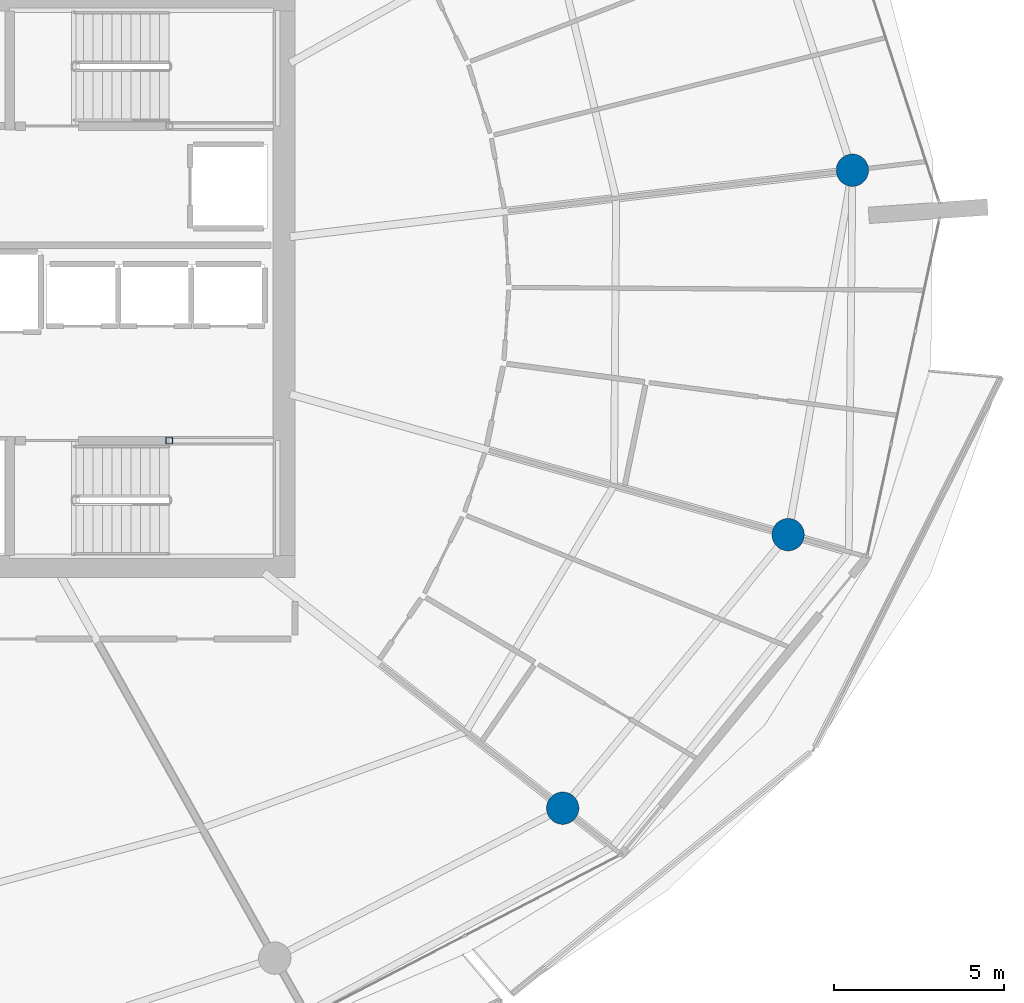
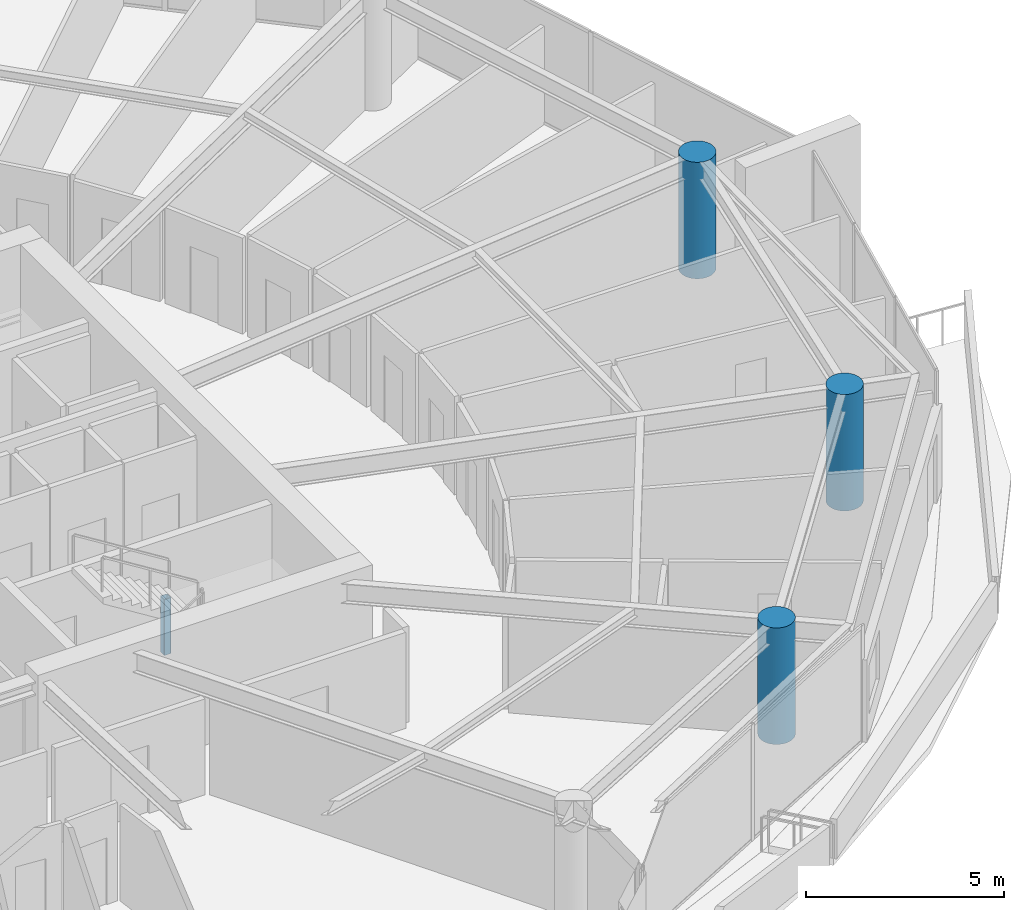
# One storey, part 3 of 30: 4 columns.
"""IFC4 building model written with IfcOpenShell, lengths in metres."""

from ifc_helpers import new_model, si_unit, direction, frame, origin, origin_2d, place, context, subcontext, project, spatial, hollow_rectangle, circle, extrude, material, material_profile, profile_set, type_object, element, save


model = new_model("IFC4")

# Units and contexts
model_context = context("Model", 3, precision=1e-05, world=origin(), true_north=direction((0.0, 1.0)))
body_context = subcontext(model_context, "Body", "Model", "MODEL_VIEW")
ifc_project = project(units=[si_unit("LENGTHUNIT", "METRE"), si_unit("AREAUNIT", "SQUARE_METRE"), si_unit("VOLUMEUNIT", "CUBIC_METRE"), si_unit("PLANEANGLEUNIT", "RADIAN"), si_unit("MASSUNIT", "GRAM", prefix="KILO")], contexts=[model_context])

# Site, building, storey
site_placement = place(None, origin())
site = spatial("IfcSite", under=ifc_project, at=site_placement, CompositionType="ELEMENT")
building_placement = place(site_placement, origin())
building = spatial("IfcBuilding", under=site, at=building_placement, Name="Kazma Halo Residences", CompositionType="ELEMENT")
storey_placement = place(building_placement, frame((0.0, 0.0, 236.699951171875)))
storey = spatial("IfcBuildingStorey", under=building, at=storey_placement, Name="L59", CompositionType="ELEMENT", Elevation=236.699951171875)

# Columns
ifc_material_1 = material(Name="Steel S355", Category="steel")
ifc_material_profile_1 = material_profile(ifc_material_1, hollow_rectangle(XDim=0.199951171875, YDim=0.199951171875, WallThickness=0.010009765625, InnerFilletRadius=0.010009765625, OuterFilletRadius=0.02001953125, at=origin_2d()), Name="SHS200x200x10")
ifc_profile_set_1 = profile_set([ifc_material_profile_1], Name="Steel S355")
column_type_1 = type_object("IfcColumnType", Name="COL-LP-SHS200", PredefinedType="COLUMN", material=ifc_profile_set_1)
column_placement = place(storey_placement, frame((56.0, 37.3798828125, 0.0), z_axis=(0.0, 0.0, 1.0), x_axis=(1.0, 0.0, 0.0)))
element("IfcColumn", 1, at=column_placement, inside=storey, type_object=column_type_1, Name="L59 ST-03 landing pilaster 1", PredefinedType="COLUMN", context=body_context, shape_type="SweptSolid", body=[
    extrude(hollow_rectangle(XDim=0.199951171875, YDim=0.199951171875, WallThickness=0.010009765625, InnerFilletRadius=0.010009765625, OuterFilletRadius=0.02001953125, at=origin_2d()), origin(), (0.0, 0.0, 1.0), 1.719970703125),
])
ifc_material_2 = material(Name="Concrete C60/75", Category="concrete")
ifc_material_profile_2 = material_profile(ifc_material_2, circle(Radius=0.47509765625, at=origin_2d()), Name="CIRC950")
ifc_profile_set_2 = profile_set([ifc_material_profile_2], Name="Concrete C60/75")
column_type_2 = type_object("IfcColumnType", Name="COL-PERIM-950", PredefinedType="COLUMN", material=ifc_profile_set_2)
for number, where, z_axis, x_axis, name in (
    (2, (67.566162109375, 26.5751953125, 0.0), (0.0, 0.0, 1.0), (1.0, 0.0, 0.0), "L59 perimeter ring column P14"),
    (3, (74.19091796875, 34.61328125, 0.0), (0.0, 0.0, 1.0), (1.0, 0.0, 0.0), "L59 perimeter ring column P15"),
    (4, (76.07958984375, 45.323486328125, 0.0), (0.0, 0.0, 1.0), (1.0, 0.0, 0.0), "L59 perimeter ring column P16"),
):
    element("IfcColumn", number, at=place(storey_placement, frame(where, z_axis=z_axis, x_axis=x_axis)), inside=storey, type_object=column_type_2, Name=name, PredefinedType="COLUMN", context=body_context, shape_type="SweptSolid", body=[
        extrude(circle(Radius=0.47509765625, at=origin_2d()), origin(), (0.0, 0.0, 1.0), 3.590087890625),
    ])

save(model, "model.ifc")
